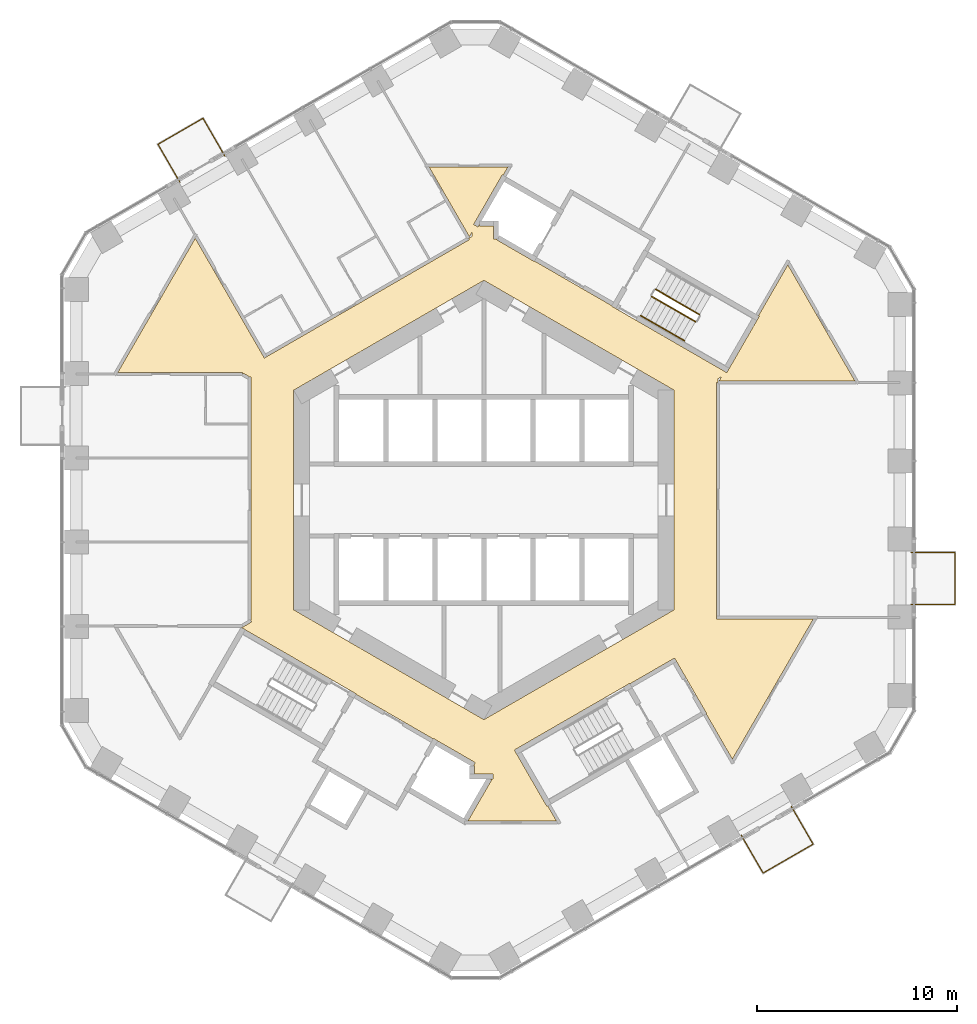
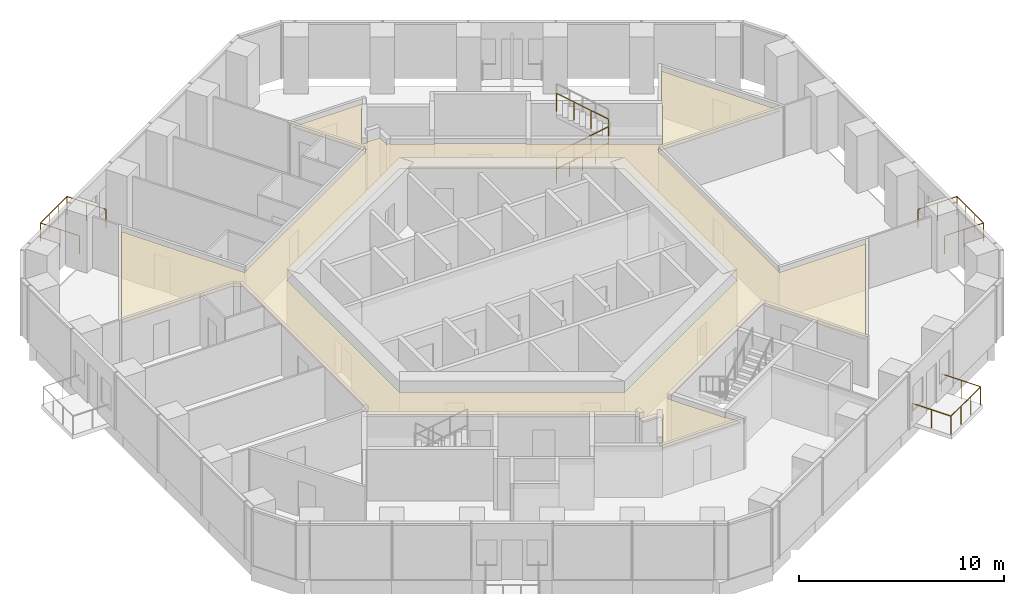
# One storey, part 19 of 20: 7 railings, 1 covering.
"""IFC4 building model written with IfcOpenShell, lengths in metres."""

from ifc_helpers import new_model, si_unit, direction, frame, origin, origin_2d, place, context, subcontext, project, spatial, polyline, circle, outline, extrude, material, layer, layer_set, type_object, element, save


model = new_model("IFC4")

# Units and contexts
model_context = context("Model", 3, precision=1e-05, world=origin(), true_north=direction((0.0, 1.0)))
body_context = subcontext(model_context, "Body", "Model", "MODEL_VIEW")
ifc_project = project(units=[si_unit("LENGTHUNIT", "METRE"), si_unit("AREAUNIT", "SQUARE_METRE"), si_unit("VOLUMEUNIT", "CUBIC_METRE"), si_unit("PLANEANGLEUNIT", "RADIAN"), si_unit("MASSUNIT", "GRAM", prefix="KILO")], contexts=[model_context])

# Site, building, storey
site_placement = place(None, origin())
site = spatial("IfcSite", under=ifc_project, at=site_placement, CompositionType="ELEMENT")
building_placement = place(site_placement, origin())
building = spatial("IfcBuilding", under=site, at=building_placement, Name="Ayvan Gate Tower", CompositionType="ELEMENT")
storey_placement = place(building_placement, frame((0.0, 0.0, 49.300048828125)))
storey = spatial("IfcBuildingStorey", under=building, at=storey_placement, Name="L12", CompositionType="ELEMENT", Elevation=49.300048828125)

# Railings
ifc_material_1 = material(Name="Stainless steel 316 and laminated glass", Category="steel")
railing_type_1 = type_object("IfcRailingType", Name="Balcony balustrade 1100", PredefinedType="BALUSTRADE", material=ifc_material_1)
railing_1_placement = place(storey_placement, frame((-12.934326171875, 17.16748046875, 0.0)))
element("IfcRailing", 1, at=railing_1_placement, inside=storey, type_object=railing_type_1, Name="Balcony balustrade BAL-L12-2", PredefinedType="BALUSTRADE", context=body_context, shape_type="SweptSolid", body=[
    extrude(circle(Radius=0.02490234375, at=origin_2d()), frame((0.0, 0.0, 1.0751953125), z_axis=(-0.500011965869, 0.866018495177, 0.0), x_axis=(-0.866018495177, -0.500011965869, 0.0)), (0.0, 0.0, 1.0), 2.18994140625),
    extrude(circle(Radius=0.02490234375, at=origin_2d()), frame((-1.094970703125, 1.896484375, 1.0751953125), z_axis=(-0.866028930478, -0.499993891537, 0.0), x_axis=(0.499993891537, -0.866028930478, 0.0)), (0.0, 0.0, 1.0), 2.59521484375),
    extrude(circle(Radius=0.02490234375, at=origin_2d()), frame((-3.342529296875, 0.598876953125, 1.0751953125), z_axis=(0.500011965869, -0.866018495177, 0.0), x_axis=(0.866018495177, 0.500011965869, 0.0)), (0.0, 0.0, 1.0), 2.18994140625),
    extrude(circle(Radius=0.02001953125, at=origin_2d()), origin(), (0.0, 0.0, 1.0), 1.050048828125),
    extrude(circle(Radius=0.02001953125, at=origin_2d()), frame((-0.54736328125, 0.9482421875, 0.0)), (0.0, 0.0, 1.0), 1.050048828125),
    extrude(circle(Radius=0.02001953125, at=origin_2d()), frame((-1.094970703125, 1.896484375, 0.0)), (0.0, 0.0, 1.0), 1.050048828125),
    extrude(circle(Radius=0.02001953125, at=origin_2d()), frame((-1.84423828125, 1.4638671875, 0.0)), (0.0, 0.0, 1.0), 1.050048828125),
    extrude(circle(Radius=0.02001953125, at=origin_2d()), frame((-2.59326171875, 1.031494140625, 0.0)), (0.0, 0.0, 1.0), 1.050048828125),
    extrude(circle(Radius=0.02001953125, at=origin_2d()), frame((-3.342529296875, 0.598876953125, 0.0)), (0.0, 0.0, 1.0), 1.050048828125),
    extrude(circle(Radius=0.02001953125, at=origin_2d()), frame((-2.794921875, -0.349365234375, 0.0)), (0.0, 0.0, 1.0), 1.050048828125),
    extrude(circle(Radius=0.02001953125, at=origin_2d()), frame((-2.24755859375, -1.297607421875, 0.0)), (0.0, 0.0, 1.0), 1.050048828125),
])
railing_2_placement = place(storey_placement, frame((12.85107421875, -16.735595703125, 0.0)))
element("IfcRailing", 2, at=railing_2_placement, inside=storey, type_object=railing_type_1, Name="Balcony balustrade BAL-L12-5", PredefinedType="BALUSTRADE", context=body_context, shape_type="SweptSolid", body=[
    extrude(circle(Radius=0.02490234375, at=origin_2d()), frame((0.0, 0.0, 1.0751953125), z_axis=(0.499963694393, -0.866046363822, 0.0), x_axis=(0.866046363822, 0.499963694393, 0.0)), (0.0, 0.0, 1.0), 2.190185546875),
    extrude(circle(Radius=0.02490234375, at=origin_2d()), frame((1.094970703125, -1.896728515625, 1.0751953125), z_axis=(0.866067146763, 0.49992769207, 0.0), x_axis=(-0.49992769207, 0.866067146763, 0.0)), (0.0, 0.0, 1.0), 2.88330078125),
    extrude(circle(Radius=0.02490234375, at=origin_2d()), frame((3.592041015625, -0.455322265625, 1.0751953125), z_axis=(-0.499963694393, 0.866046363822, 0.0), x_axis=(-0.866046363822, -0.499963694393, 0.0)), (0.0, 0.0, 1.0), 2.190185546875),
    extrude(circle(Radius=0.02001953125, at=origin_2d()), origin(), (0.0, 0.0, 1.0), 1.050048828125),
    extrude(circle(Radius=0.02001953125, at=origin_2d()), frame((0.54736328125, -0.9482421875, 0.0)), (0.0, 0.0, 1.0), 1.050048828125),
    extrude(circle(Radius=0.02001953125, at=origin_2d()), frame((1.094970703125, -1.896728515625, 0.0)), (0.0, 0.0, 1.0), 1.050048828125),
    extrude(circle(Radius=0.02001953125, at=origin_2d()), frame((1.92724609375, -1.416259765625, 0.0)), (0.0, 0.0, 1.0), 1.050048828125),
    extrude(circle(Radius=0.02001953125, at=origin_2d()), frame((2.759765625, -0.935791015625, 0.0)), (0.0, 0.0, 1.0), 1.050048828125),
    extrude(circle(Radius=0.02001953125, at=origin_2d()), frame((3.592041015625, -0.455322265625, 0.0)), (0.0, 0.0, 1.0), 1.050048828125),
    extrude(circle(Radius=0.02001953125, at=origin_2d()), frame((3.04443359375, 0.4931640625, 0.0)), (0.0, 0.0, 1.0), 1.050048828125),
    extrude(circle(Radius=0.02001953125, at=origin_2d()), frame((2.4970703125, 1.44140625, 0.0)), (0.0, 0.0, 1.0), 1.050048828125),
])
railing_3_placement = place(storey_placement, frame((21.334716796875, -5.212890625, 0.0)))
element("IfcRailing", 3, at=railing_3_placement, inside=storey, type_object=railing_type_1, Name="Balcony balustrade BAL-L12-0", PredefinedType="BALUSTRADE", context=body_context, shape_type="SweptSolid", body=[
    extrude(circle(Radius=0.02490234375, at=origin_2d()), frame((0.0, 0.0, 1.0751953125), z_axis=(1.0, 0.0, 0.0), x_axis=(0.0, 1.0, 0.0)), (0.0, 0.0, 1.0), 2.18994140625),
    extrude(circle(Radius=0.02490234375, at=origin_2d()), frame((2.18994140625, 0.0, 1.0751953125), z_axis=(0.0, 1.0, 0.0), x_axis=(-1.0, 0.0, 0.0)), (0.0, 0.0, 1.0), 2.59521484375),
    extrude(circle(Radius=0.02490234375, at=origin_2d()), frame((2.18994140625, 2.59521484375, 1.0751953125), z_axis=(-1.0, 0.0, 0.0), x_axis=(0.0, -1.0, 0.0)), (0.0, 0.0, 1.0), 2.18994140625),
    extrude(circle(Radius=0.02001953125, at=origin_2d()), origin(), (0.0, 0.0, 1.0), 1.050048828125),
    extrude(circle(Radius=0.02001953125, at=origin_2d()), frame((1.094970703125, 0.0, 0.0)), (0.0, 0.0, 1.0), 1.050048828125),
    extrude(circle(Radius=0.02001953125, at=origin_2d()), frame((2.18994140625, 0.0, 0.0)), (0.0, 0.0, 1.0), 1.050048828125),
    extrude(circle(Radius=0.02001953125, at=origin_2d()), frame((2.18994140625, 0.864990234375, 0.0)), (0.0, 0.0, 1.0), 1.050048828125),
    extrude(circle(Radius=0.02001953125, at=origin_2d()), frame((2.18994140625, 1.730224609375, 0.0)), (0.0, 0.0, 1.0), 1.050048828125),
    extrude(circle(Radius=0.02001953125, at=origin_2d()), frame((2.18994140625, 2.59521484375, 0.0)), (0.0, 0.0, 1.0), 1.050048828125),
    extrude(circle(Radius=0.02001953125, at=origin_2d()), frame((1.094970703125, 2.59521484375, 0.0)), (0.0, 0.0, 1.0), 1.050048828125),
    extrude(circle(Radius=0.02001953125, at=origin_2d()), frame((0.0, 2.59521484375, 0.0)), (0.0, 0.0, 1.0), 1.050048828125),
])

# Covering
ifc_material_2 = material(Name="Plasterboard suspended ceiling")
ifc_layer = layer(ifc_material_2, 0.050048828125)
ifc_layer_set = layer_set([ifc_layer], Name="Plasterboard suspended ceiling")
covering_type = type_object("IfcCoveringType", Name="CT-SUSP-50", PredefinedType="CEILING", material=ifc_layer_set)
covering_placement = place(storey_placement, frame((0.0, 0.0, 2.699951171875)))
element("IfcCovering", 4, at=covering_placement, inside=storey, type_object=covering_type, Name="Ceiling Ring Corridor L12", PredefinedType="CEILING", context=body_context, shape_type="SweptSolid", body=[
    extrude(outline(polyline([(-12.044921875, -6.379638671875), (-12.044921875, -6.347900390625), (-11.597412109375, -6.089599609375), (-11.656494140625, -5.9873046875), (-11.625, -5.9873046875), (-11.625, 6.13720703125), (-11.743408203125, 6.13720703125), (-11.7275390625, 6.164794921875), (-12.017578125, 6.332275390625), (-12.044921875, 6.28466796875), (-12.044921875, 6.379638671875), (-18.2802734375, 6.379638671875), (-14.416015625, 13.072998046875), (-10.963623046875, 7.093505859375), (-10.85107421875, 7.15869140625), (-0.726318359375, 13.00390625), (-0.763916015625, 13.069091796875), (-0.60009765625, 13.16357421875), (-0.60009765625, 13.36083984375), (-0.722900390625, 13.14794921875), (-2.72802734375, 16.62109375), (1.19580078125, 16.62109375), (0.962158203125, 16.216552734375), (0.918701171875, 16.241455078125), (-0.511474609375, 13.76416015625), (-0.294921875, 13.63916015625), (-0.215576171875, 13.776611328125), (-0.215576171875, 13.68505859375), (0.47509765625, 13.68505859375), (0.47509765625, 13.03857421875), (0.672119140625, 13.03857421875), (0.645751953125, 12.992919921875), (2.518310546875, 11.91162109375), (2.53076171875, 11.933349609375), (6.384521484375, 9.70849609375), (6.3720703125, 9.686767578125), (6.588623046875, 9.561767578125), (12.131103515625, 6.36181640625), (12.24609375, 6.56103515625), (13.631103515625, 8.959716796875), (13.756103515625, 9.176513671875), (13.712890625, 9.201416015625), (15.181884765625, 11.74609375), (18.529541015625, 5.947998046875), (11.747802734375, 5.947998046875), (11.870849609375, 6.160888671875), (11.699951171875, 6.062255859375), (11.699951171875, 5.873046875), (11.625, 5.873046875), (11.625, -5.947998046875), (16.451171875, -5.947998046875), (12.41064453125, -12.946044921875), (11.102294921875, -10.6796875), (11.123779296875, -10.667236328125), (9.623779296875, -8.069091796875), (9.52392578125, -7.89599609375), (7.2939453125, -9.183349609375), (7.281494140625, -9.16162109375), (1.522216796875, -12.48681640625), (1.647216796875, -12.703369140625), (3.147216796875, -15.30126953125), (3.190673828125, -15.2763671875), (3.62060546875, -16.02099609375), (-0.79150390625, -16.02099609375), (0.386474609375, -13.980712890625), (0.30712890625, -13.93505859375), (0.465576171875, -13.93505859375), (0.465576171875, -13.68505859375), (-0.47509765625, -13.68505859375), (-0.47509765625, -13.28857421875), (-0.52783203125, -13.28857421875), (-0.42919921875, -13.117919921875), (-2.284423828125, -12.046630859375), (-2.518310546875, -11.91162109375), (-2.53076171875, -11.933349609375), (-6.384521484375, -9.70849609375), (-6.3720703125, -9.686767578125), (-11.897216796875, -6.49658203125), (-12.10009765625, -6.379638671875), (-12.044921875, -6.379638671875)]), holes=[polyline([(-9.5, -5.48486328125), (-2.808349609375, -9.34814453125), (0.0, -10.9697265625), (2.808349609375, -9.34814453125), (9.5, -5.48486328125), (9.5, 5.48486328125), (2.808349609375, 9.34814453125), (0.0, 10.9697265625), (-2.808349609375, 9.34814453125), (-9.5, 5.48486328125), (-9.5, -5.48486328125)])]), origin(), (0.0, 0.0, 1.0), 0.050048828125),
])

# Railings
ifc_material_3 = material(Name="Stainless steel balustrade", Category="steel")
railing_type_2 = type_object("IfcRailingType", Name="RL-GUARD-1100", PredefinedType="GUARDRAIL", material=ifc_material_3)
railing_4_placement = place(storey_placement, frame((8.381103515625, 10.16650390625, 0.169921875)))
element("IfcRailing", 5, at=railing_4_placement, inside=storey, type_object=railing_type_2, Name="L12 STS1 stair guard 1", PredefinedType="GUARDRAIL", context=body_context, shape_type="SweptSolid", body=[
    extrude(circle(Radius=0.02392578125, at=origin_2d()), frame((0.0, 0.0, 1.076171875), z_axis=(0.740261155115, -0.427395438142, 0.518986090067), x_axis=(0.500004791531, 0.866022637375, 0.0)), (0.0, 0.0, 1.0), 2.947998046875),
    extrude(circle(Radius=0.02099609375, at=origin_2d()), origin(), (0.0, 0.0, 1.0), 1.052001953125),
    extrude(circle(Radius=0.02099609375, at=origin_2d()), frame((0.7275390625, -0.419921875, 0.510009765625)), (0.0, 0.0, 1.0), 1.052001953125),
    extrude(circle(Radius=0.02099609375, at=origin_2d()), frame((1.454833984375, -0.840087890625, 1.02001953125)), (0.0, 0.0, 1.0), 1.052001953125),
    extrude(circle(Radius=0.02099609375, at=origin_2d()), frame((2.182373046875, -1.260009765625, 1.530029296875)), (0.0, 0.0, 1.0), 1.052001953125),
])
railing_5_placement = place(storey_placement, frame((10.7685546875, 9.261474609375, 1.869873046875)))
element("IfcRailing", 6, at=railing_5_placement, inside=storey, type_object=railing_type_2, Name="L12 STS1 stair guard 3", PredefinedType="GUARDRAIL", context=body_context, shape_type="SweptSolid", body=[
    extrude(circle(Radius=0.02392578125, at=origin_2d()), frame((0.0, 0.0, 1.076171875), z_axis=(-0.740261155115, 0.427395438142, 0.518986090067), x_axis=(-0.500004791531, -0.866022637375, 0.0)), (0.0, 0.0, 1.0), 2.947998046875),
    extrude(circle(Radius=0.02099609375, at=origin_2d()), origin(), (0.0, 0.0, 1.0), 1.052001953125),
    extrude(circle(Radius=0.02099609375, at=origin_2d()), frame((-0.7275390625, 0.419921875, 0.510009765625)), (0.0, 0.0, 1.0), 1.052001953125),
    extrude(circle(Radius=0.02099609375, at=origin_2d()), frame((-1.454833984375, 0.840087890625, 1.02001953125)), (0.0, 0.0, 1.0), 1.052001953125),
    extrude(circle(Radius=0.02099609375, at=origin_2d()), frame((-2.182373046875, 1.260009765625, 1.530029296875)), (0.0, 0.0, 1.0), 1.052001953125),
])
railing_type_3 = type_object("IfcRailingType", Name="RL-HANDRAIL-900", PredefinedType="HANDRAIL", material=ifc_material_3)
railing_6_placement = place(storey_placement, frame((7.8310546875, 9.2138671875, 0.169921875)))
element("IfcRailing", 7, at=railing_6_placement, inside=storey, type_object=railing_type_3, Name="L12 STS1 stair handrail 1", PredefinedType="HANDRAIL", context=body_context, shape_type="SweptSolid", body=[
    extrude(circle(Radius=0.02392578125, at=origin_2d()), frame((0.0, 0.0, 0.8759765625), z_axis=(0.740292964666, -0.42728318766, 0.519033143459), x_axis=(0.499890179513, 0.866088799389, 0.0)), (0.0, 0.0, 1.0), 1.47412109375),
    extrude(circle(Radius=0.02099609375, at=origin_2d()), origin(), (0.0, 0.0, 1.0), 0.851806640625),
    extrude(circle(Radius=0.02099609375, at=origin_2d()), frame((0.545654296875, -0.31494140625, 0.382568359375)), (0.0, 0.0, 1.0), 0.851806640625),
    extrude(circle(Radius=0.02099609375, at=origin_2d()), frame((1.09130859375, -0.6298828125, 0.76513671875)), (0.0, 0.0, 1.0), 0.851806640625),
])
railing_7_placement = place(storey_placement, frame((8.92236328125, 8.583984375, 0.93505859375)))
element("IfcRailing", 8, at=railing_7_placement, inside=storey, type_object=railing_type_3, Name="L12 STS1 stair handrail 2", PredefinedType="HANDRAIL", context=body_context, shape_type="SweptSolid", body=[
    extrude(circle(Radius=0.02392578125, at=origin_2d()), frame((0.0, 0.0, 0.8759765625), z_axis=(0.740229329464, -0.427507697325, 0.518939021976), x_axis=(0.50011940292, 0.865956455501, 0.0)), (0.0, 0.0, 1.0), 1.473876953125),
    extrude(circle(Radius=0.02099609375, at=origin_2d()), origin(), (0.0, 0.0, 1.0), 0.851806640625),
    extrude(circle(Radius=0.02099609375, at=origin_2d()), frame((0.54541015625, -0.31494140625, 0.38232421875)), (0.0, 0.0, 1.0), 0.851806640625),
    extrude(circle(Radius=0.02099609375, at=origin_2d()), frame((1.091064453125, -0.630126953125, 0.764892578125)), (0.0, 0.0, 1.0), 0.851806640625),
])

save(model, "model.ifc")
